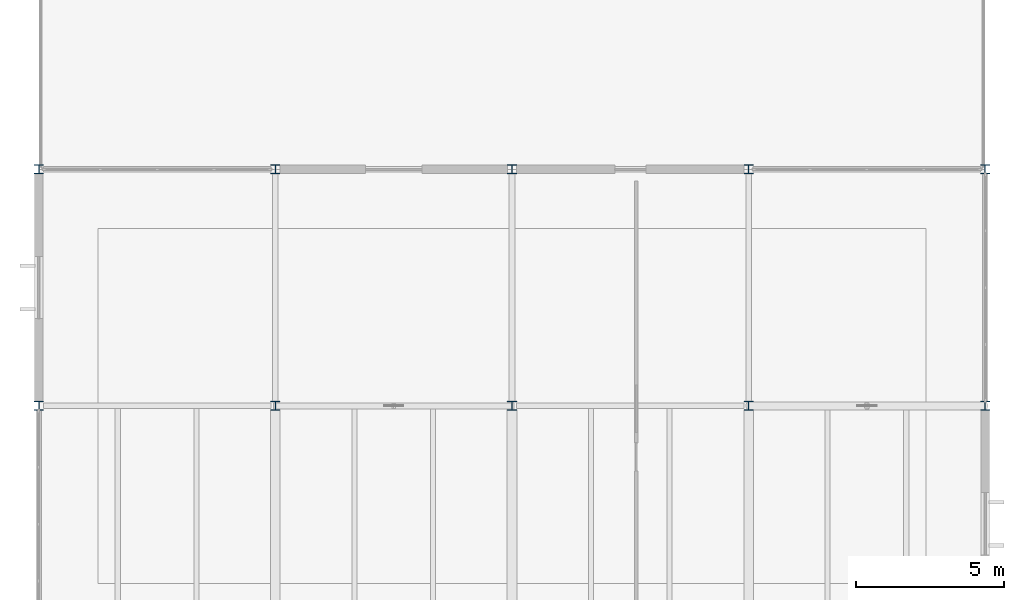
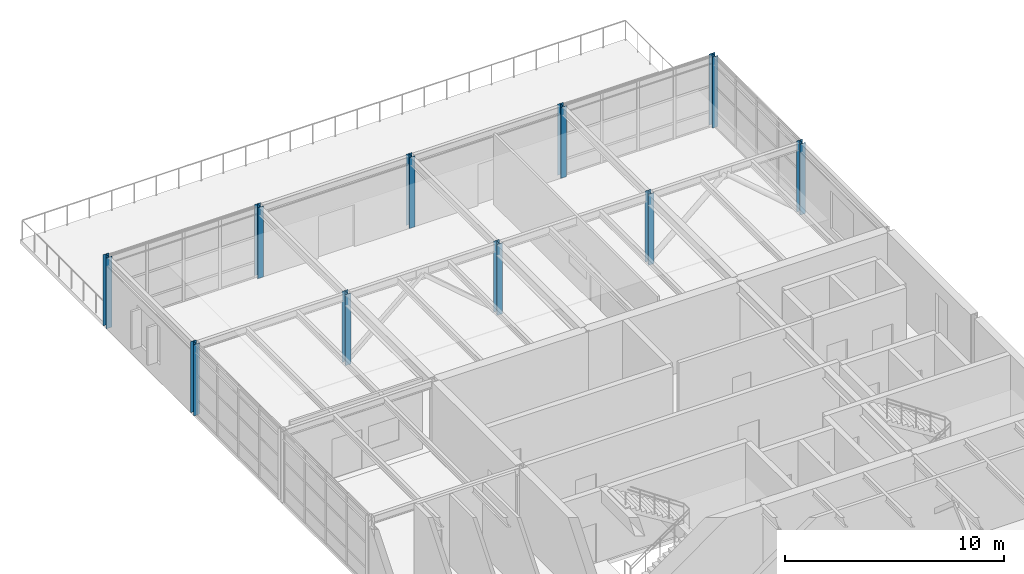
# One storey, part 2 of 15: 10 columns.
"""IFC4 building model written with IfcOpenShell, lengths in metres."""

from ifc_helpers import new_model, si_unit, direction, frame, origin, origin_2d, place, context, subcontext, project, spatial, i_section, extrude, material, material_profile, profile_set, type_object, element, save


model = new_model("IFC4")

# Units and contexts
model_context = context("Model", 3, precision=1e-05, world=origin(), true_north=direction((0.0, 1.0)))
body_context = subcontext(model_context, "Body", "Model", "MODEL_VIEW")
ifc_project = project(units=[si_unit("LENGTHUNIT", "METRE"), si_unit("AREAUNIT", "SQUARE_METRE"), si_unit("VOLUMEUNIT", "CUBIC_METRE"), si_unit("PLANEANGLEUNIT", "RADIAN"), si_unit("MASSUNIT", "GRAM", prefix="KILO")], contexts=[model_context])

# Site, building, storey
site_placement = place(None, origin())
site = spatial("IfcSite", under=ifc_project, at=site_placement, CompositionType="ELEMENT")
building_placement = place(site_placement, origin())
building = spatial("IfcBuilding", under=site, at=building_placement, Name="Varnela Railside Interchange", CompositionType="ELEMENT")
storey_placement = place(building_placement, frame((0.0, 0.0, 32.199951171875)))
storey = spatial("IfcBuildingStorey", under=building, at=storey_placement, Name="L07", CompositionType="ELEMENT", Elevation=32.199951171875)

# Columns
ifc_material = material(Name="Steel AR 350 (350 MPa)", Category="steel")
ifc_material_profile = material_profile(ifc_material, i_section(OverallWidth=0.31005859375, OverallDepth=0.30810546875, WebThickness=0.015380859375, FlangeThickness=0.015380859375, at=origin_2d()), Name="HP310x110")
ifc_profile_set = profile_set([ifc_material_profile], Name="Steel AR 350 (350 MPa)")
column_type = type_object("IfcColumnType", Name="Plant Floor Steel Column C-21", PredefinedType="COLUMN", material=ifc_profile_set)
for number, where, z_axis, x_axis, name in (
    (1, (4.0, 78.0, 0.0), (0.0, 0.0, 1.0), (1.0, 0.0, 0.0), "Column C-21 (L07) (CL-1052)"),
    (2, (4.0, 86.0, 0.0), (0.0, 0.0, 1.0), (1.0, 0.0, 0.0), "Column C-21 (L07) (CL-1053)"),
    (3, (12.0, 78.0, 0.0), (0.0, 0.0, 1.0), (1.0, 0.0, 0.0), "Column C-21 (L07) (CL-1058)"),
    (4, (12.0, 86.0, 0.0), (0.0, 0.0, 1.0), (1.0, 0.0, 0.0), "Column C-21 (L07) (CL-1059)"),
    (5, (20.0, 78.0, 0.0), (0.0, 0.0, 1.0), (1.0, 0.0, 0.0), "Column C-21 (L07) (CL-1063)"),
    (6, (20.0, 86.0, 0.0), (0.0, 0.0, 1.0), (1.0, 0.0, 0.0), "Column C-21 (L07) (CL-1064)"),
    (7, (28.0, 78.0, 0.0), (0.0, 0.0, 1.0), (1.0, 0.0, 0.0), "Column C-21 (L07) (CL-1068)"),
    (8, (28.0, 86.0, 0.0), (0.0, 0.0, 1.0), (1.0, 0.0, 0.0), "Column C-21 (L07) (CL-1069)"),
    (9, (36.0, 78.0, 0.0), (0.0, 0.0, 1.0), (1.0, 0.0, 0.0), "Column C-21 (L07) (CL-1074)"),
    (10, (36.0, 86.0, 0.0), (0.0, 0.0, 1.0), (1.0, 0.0, 0.0), "Column C-21 (L07) (CL-1075)"),
):
    element("IfcColumn", number, at=place(storey_placement, frame(where, z_axis=z_axis, x_axis=x_axis)), inside=storey, type_object=column_type, Name=name, PredefinedType="COLUMN", context=body_context, shape_type="SweptSolid", body=[
        extrude(i_section(OverallWidth=0.31005859375, OverallDepth=0.30810546875, WebThickness=0.015380859375, FlangeThickness=0.015380859375, at=origin_2d()), origin(), (0.0, 0.0, 1.0), 3.9599609375),
    ])

save(model, "model.ifc")
